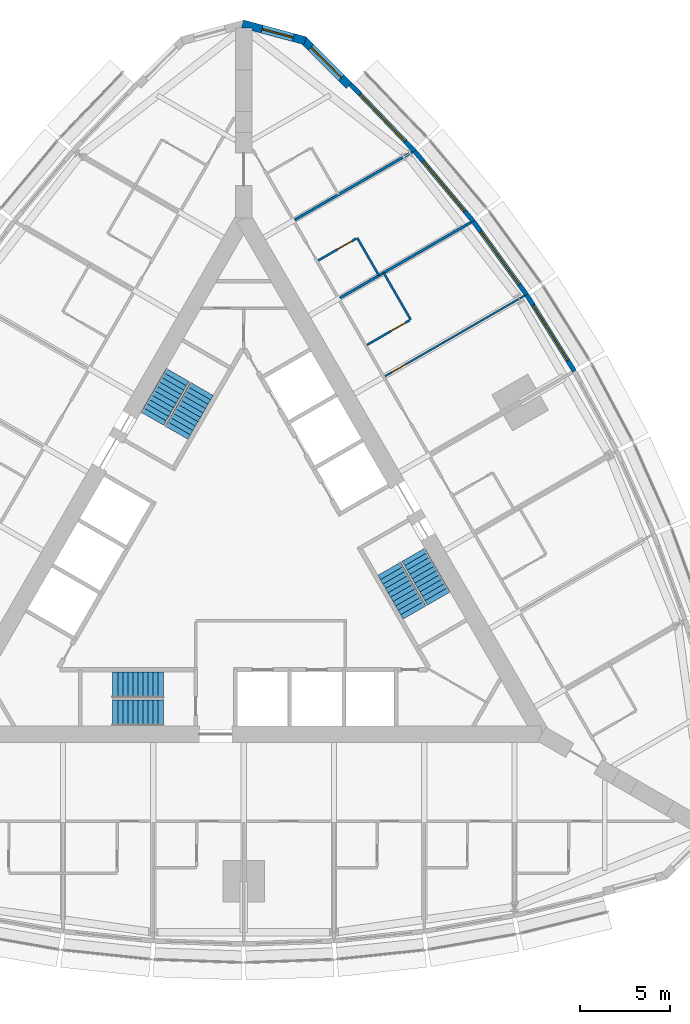
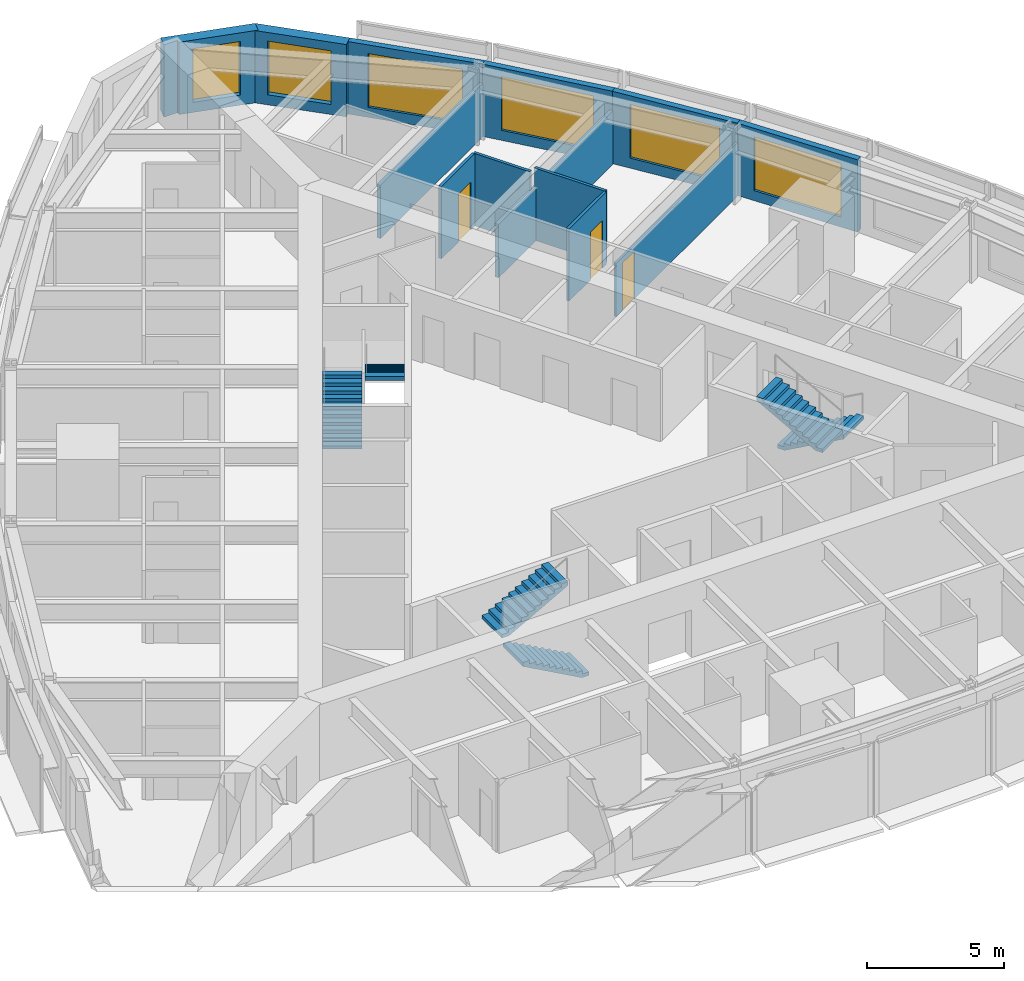
# One storey, part 13 of 14: 13 walls, 6 stair flights, 6 windows, 3 doors, 9 openings, 3 elements without a shape of their own.
"""IFC4 building model written with IfcOpenShell, lengths in metres."""

from ifc_helpers import new_model, si_unit, direction, frame, frame_2d, origin, place, context, subcontext, project, spatial, polyline, rectangle, outline, extrude, material, layer, layer_set, type_object, element, fill, aggregate, save


model = new_model("IFC4")

# Units and contexts
model_context = context("Model", 3, precision=1e-05, world=origin(), true_north=direction((0.0, 1.0)))
body_context = subcontext(model_context, "Body", "Model", "MODEL_VIEW")
ifc_project = project(units=[si_unit("LENGTHUNIT", "METRE"), si_unit("AREAUNIT", "SQUARE_METRE"), si_unit("VOLUMEUNIT", "CUBIC_METRE"), si_unit("PLANEANGLEUNIT", "RADIAN"), si_unit("MASSUNIT", "GRAM", prefix="KILO")], contexts=[model_context])

# Site, building, storey
site_placement = place(None, origin())
site = spatial("IfcSite", under=ifc_project, at=site_placement, CompositionType="ELEMENT")
building_placement = place(site_placement, origin())
building = spatial("IfcBuilding", under=site, at=building_placement, Name="Trikona Tower", CompositionType="ELEMENT")
storey_placement = place(building_placement, frame((0.0, 0.0, 145.300048828125)))
storey = spatial("IfcBuildingStorey", under=building, at=storey_placement, Name="L38", CompositionType="ELEMENT", Elevation=145.300048828125)

# Wall
ifc_material_1 = material(Name="Metal stud and cement board", Category="gypsum")
ifc_layer_1 = layer(ifc_material_1, 0.1201171875)
ifc_layer_set_1 = layer_set([ifc_layer_1], Name="Bathroom wall 120")
wall_type_1 = type_object("IfcWallType", Name="Bathroom wall 120", PredefinedType="PLUMBINGWALL", material=ifc_layer_set_1)
wall_1_placement = place(storey_placement, frame((9.25341796875, 13.42529296875, 0.0), z_axis=(0.0, 0.0, 1.0), x_axis=(-0.499990139034, 0.866031096941, 0.0)))
element("IfcWall", 1, at=wall_1_placement, inside=storey, type_object=wall_type_1, Name="Bathroom wall 3810.1", PredefinedType="PLUMBINGWALL", context=body_context, shape_type="SweptSolid", body=[
    extrude(rectangle(XDim=3.0, YDim=0.1201171875, at=frame_2d((1.5, 0.0))), origin(), (0.0, 0.0, 1.0), 3.23486328125),
])

# Wall, opening, door
wall_2_placement = place(storey_placement, frame((6.82861328125, 12.025390625, 0.0), z_axis=(0.0, 0.0, 1.0), x_axis=(0.866035715982, 0.499982138324, 0.0)))
wall_2 = element("IfcWall", 2, at=wall_2_placement, inside=storey, type_object=wall_type_1, Name="Bathroom wall 3810.1", PredefinedType="PLUMBINGWALL", context=body_context, shape_type="SweptSolid", body=[
    extrude(rectangle(XDim=2.73974609375, YDim=0.1201171875, at=frame_2d((1.369873046875, 0.0))), origin(), (0.0, 0.0, 1.0), 3.23486328125),
])
opening_1_placement = place(wall_2_placement, frame((1.550048828125, 0.0, 0.0)))
opening_1 = element("IfcOpeningElement", 3, at=opening_1_placement, cuts=wall_2, Name="Opening D2", PredefinedType="OPENING", context=body_context, shape_type="SweptSolid", body=[
    extrude(rectangle(XDim=0.89990234375, YDim=2.1298828125, at=frame_2d((0.449951171875, 1.06494140625))), frame((0.0, 0.070068359375, 0.0), z_axis=(0.0, -1.0, 0.0), x_axis=(1.0, 0.0, 0.0)), (0.0, 0.0, 1.0), 0.14013671875),
])
ifc_material_2 = material(Name="Steel door frame with solid-core timber leaf", Category="steel")
door_type_1 = type_object("IfcDoorType", Name="Bathroom door 900x2130", OperationType="SLIDING_TO_LEFT", PredefinedType="DOOR", material=ifc_material_2)
door_1_placement = place(opening_1_placement, origin())
door_1 = element("IfcDoor", 4, at=door_1_placement, inside=storey, type_object=door_type_1, Name="Bathroom door 3810.1", OperationType="SLIDING_TO_LEFT", OverallHeight=2.1298828125, OverallWidth=0.89990234375, PredefinedType="DOOR", context=body_context, shape_type="SweptSolid", body=[
    extrude(rectangle(XDim=0.89990234375, YDim=2.1298828125, at=frame_2d((0.449951171875, 1.06494140625))), frame((0.0, 0.02490234375, 0.0), z_axis=(0.0, -1.0, 0.0), x_axis=(1.0, 0.0, 0.0)), (0.0, 0.0, 1.0), 0.050048828125),
])
fill(opening_1, door_1)

# Wall
wall_3_placement = place(storey_placement, frame((7.493408203125, 15.873291015625, 0.0), z_axis=(0.0, 0.0, 1.0), x_axis=(-0.499957262057, 0.866050077142, 0.0)))
element("IfcWall", 5, at=wall_3_placement, inside=storey, type_object=wall_type_1, Name="Bathroom wall 3811", PredefinedType="PLUMBINGWALL", context=body_context, shape_type="SweptSolid", body=[
    extrude(rectangle(XDim=2.400146484375, YDim=0.1201171875, at=frame_2d((1.2001953125, 0.0))), origin(), (0.0, 0.0, 1.0), 3.23486328125),
])

# Wall, opening, door
wall_4_placement = place(storey_placement, frame((4.12841796875, 16.701904296875, 0.0), z_axis=(0.0, 0.0, 1.0), x_axis=(0.866048967903, 0.499959183527, 0.0)))
wall_4 = element("IfcWall", 6, at=wall_4_placement, inside=storey, type_object=wall_type_1, Name="Bathroom wall 3811", PredefinedType="PLUMBINGWALL", context=body_context, shape_type="SweptSolid", body=[
    extrude(rectangle(XDim=2.440185546875, YDim=0.1201171875, at=frame_2d((1.22021484375, 0.0))), origin(), (0.0, 0.0, 1.0), 3.23486328125),
])
opening_2_placement = place(wall_4_placement, frame((1.25, 0.0, 0.0)))
opening_2 = element("IfcOpeningElement", 7, at=opening_2_placement, cuts=wall_4, Name="Opening D2", PredefinedType="OPENING", context=body_context, shape_type="SweptSolid", body=[
    extrude(rectangle(XDim=0.89990234375, YDim=2.1298828125, at=frame_2d((0.449951171875, 1.06494140625))), frame((0.0, 0.070068359375, 0.0), z_axis=(0.0, -1.0, 0.0), x_axis=(1.0, 0.0, 0.0)), (0.0, 0.0, 1.0), 0.14013671875),
])
door_2_placement = place(opening_2_placement, origin())
door_2 = element("IfcDoor", 8, at=door_2_placement, inside=storey, type_object=door_type_1, Name="Bathroom door 3811", OperationType="SLIDING_TO_LEFT", OverallHeight=2.1298828125, OverallWidth=0.89990234375, PredefinedType="DOOR", context=body_context, shape_type="SweptSolid", body=[
    extrude(rectangle(XDim=0.89990234375, YDim=2.1298828125, at=frame_2d((0.449951171875, 1.06494140625))), frame((0.0, 0.02490234375, 0.0), z_axis=(0.0, -1.0, 0.0), x_axis=(1.0, 0.0, 0.0)), (0.0, 0.0, 1.0), 0.050048828125),
])
fill(opening_2, door_2)

# Wall, opening, window
ifc_material_3 = material(Name="Brick-faced precast concrete", Category="masonry")
ifc_layer_2 = layer(ifc_material_3, 0.449951171875)
ifc_layer_set_2 = layer_set([ifc_layer_2], Name="Brick-faced corner wall 450")
wall_type_2 = type_object("IfcWallType", Name="Brick-faced corner wall 450", PredefinedType="SOLIDWALL", material=ifc_layer_set_2)
wall_5_placement = place(storey_placement, frame((5.8408203125, 26.39892578125, 0.0), z_axis=(0.0, 0.0, 1.0), x_axis=(-0.707106781187, 0.707106781187, 0.0)))
wall_5 = element("IfcWall", 9, at=wall_5_placement, inside=storey, type_object=wall_type_2, Name="External wall L38-20", PredefinedType="SOLIDWALL", context=body_context, shape_type="SweptSolid", body=[
    extrude(rectangle(XDim=3.586181640625, YDim=0.449951171875, at=frame_2d((1.79296875, 0.0))), origin(), (0.0, 0.0, 1.0), 3.23486328125),
])
opening_3_placement = place(wall_5_placement, frame((0.59326171875, 0.0, 0.449951171875)))
opening_3 = element("IfcOpeningElement", 10, at=opening_3_placement, cuts=wall_5, Name="Opening W2424", PredefinedType="OPENING", context=body_context, shape_type="SweptSolid", body=[
    extrude(rectangle(XDim=2.39990234375, YDim=2.39990234375, at=frame_2d((1.199951171875, 1.199951171875))), frame((0.0, 0.23486328125, 0.0), z_axis=(0.0, -1.0, 0.0), x_axis=(1.0, 0.0, 0.0)), (0.0, 0.0, 1.0), 0.469970703125),
])
ifc_material_4 = material(Name="Aluminium-framed double glazing", Category="aluminium")
window_type_1 = type_object("IfcWindowType", Name="Window 2400x2400", PartitioningType="SINGLE_PANEL", PredefinedType="WINDOW", material=ifc_material_4)
window_1_placement = place(opening_3_placement, origin())
window_1 = element("IfcWindow", 11, at=window_1_placement, inside=storey, type_object=window_type_1, Name="Window 3812", OverallHeight=2.39990234375, OverallWidth=2.39990234375, PartitioningType="SINGLE_PANEL", PredefinedType="WINDOW", context=body_context, shape_type="SweptSolid", body=[
    extrude(rectangle(XDim=2.39990234375, YDim=2.39990234375, at=frame_2d((1.199951171875, 1.199951171875))), frame((0.0, 0.030029296875, 0.0), z_axis=(0.0, -1.0, 0.0), x_axis=(1.0, 0.0, 0.0)), (0.0, 0.0, 1.0), 0.06005859375),
])
fill(opening_3, window_1)

wall_6_placement = place(storey_placement, frame((3.406005859375, 28.876708984375, 0.0), z_axis=(0.0, 0.0, 1.0), x_axis=(-0.965924653531, 0.258823421857, 0.0)))
wall_6 = element("IfcWall", 12, at=wall_6_placement, inside=storey, type_object=wall_type_2, Name="External wall L38-21", PredefinedType="SOLIDWALL", context=body_context, shape_type="SweptSolid", body=[
    extrude(outline(polyline([(3.58642578125, 0.22509765625), (3.526611328125, 0.22509765625), (3.035400390625, 0.09326171875), (3.0, 0.22509765625), (0.0, 0.22509765625), (0.0, -0.22509765625), (3.58642578125, -0.22509765625), (3.58642578125, 0.22509765625)])), origin(), (0.0, 0.0, 1.0), 3.23486328125),
])
opening_4_placement = place(wall_6_placement, frame((0.6748046875, 0.0, 0.449951171875)))
opening_4 = element("IfcOpeningElement", 13, at=opening_4_placement, cuts=wall_6, Name="Opening W1824", PredefinedType="OPENING", context=body_context, shape_type="SweptSolid", body=[
    extrude(rectangle(XDim=1.800048828125, YDim=2.39990234375, at=frame_2d((0.89990234375, 1.199951171875))), frame((0.0, 0.23486328125, 0.0), z_axis=(0.0, -1.0, 0.0), x_axis=(1.0, 0.0, 0.0)), (0.0, 0.0, 1.0), 0.469970703125),
])
ifc_material_5 = material(Name="Aluminium-framed double glazing", Category="aluminium")
window_type_2 = type_object("IfcWindowType", Name="Window 1800x2400", PartitioningType="SINGLE_PANEL", PredefinedType="WINDOW", material=ifc_material_5)
window_2_placement = place(opening_4_placement, origin())
window_2 = element("IfcWindow", 14, at=window_2_placement, inside=storey, type_object=window_type_2, Name="Window 3812", OverallHeight=2.39990234375, OverallWidth=1.800048828125, PartitioningType="SINGLE_PANEL", PredefinedType="WINDOW", context=body_context, shape_type="SweptSolid", body=[
    extrude(rectangle(XDim=1.800048828125, YDim=2.39990234375, at=frame_2d((0.89990234375, 1.199951171875))), frame((0.0, 0.030029296875, 0.0), z_axis=(0.0, -1.0, 0.0), x_axis=(1.0, 0.0, 0.0)), (0.0, 0.0, 1.0), 0.06005859375),
])
fill(opening_4, window_2)

ifc_material_6 = material(Name="Insulated precast concrete spandrel panel", Category="concrete")
ifc_layer_3 = layer(ifc_material_6, 0.25)
ifc_layer_set_3 = layer_set([ifc_layer_3], Name="Inner skin wall 250")
wall_type_3 = type_object("IfcWallType", Name="Inner skin wall 250", PredefinedType="STANDARD", material=ifc_layer_set_3)
wall_7_placement = place(storey_placement, frame((18.31884765625, 10.5712890625, 0.0), z_axis=(0.0, 0.0, 1.0), x_axis=(-0.529990167382, 0.84800378683, 0.0)))
wall_7 = element("IfcWall", 15, at=wall_7_placement, inside=storey, type_object=wall_type_3, Name="External wall L38-16", PredefinedType="STANDARD", context=body_context, shape_type="SweptSolid", body=[
    extrude(rectangle(XDim=5.003173828125, YDim=0.25, at=frame_2d((2.50146484375, 0.0))), origin(), (0.0, 0.0, 1.0), 3.23486328125),
])
opening_5_placement = place(wall_7_placement, frame((0.701416015625, 0.0, 0.449951171875)))
opening_5 = element("IfcOpeningElement", 16, at=opening_5_placement, cuts=wall_7, Name="Opening W3624", PredefinedType="OPENING", context=body_context, shape_type="SweptSolid", body=[
    extrude(rectangle(XDim=3.60009765625, YDim=2.39990234375, at=frame_2d((1.800048828125, 1.199951171875))), frame((0.0, 0.135009765625, 0.0), z_axis=(0.0, -1.0, 0.0), x_axis=(1.0, 0.0, 0.0)), (0.0, 0.0, 1.0), 0.27001953125),
])
ifc_material_7 = material(Name="Aluminium-framed double glazing", Category="aluminium")
window_type_3 = type_object("IfcWindowType", Name="Window 3600x2400", PartitioningType="SINGLE_PANEL", PredefinedType="WINDOW", material=ifc_material_7)
window_3_placement = place(opening_5_placement, origin())
window_3 = element("IfcWindow", 17, at=window_3_placement, inside=storey, type_object=window_type_3, Name="Window 3810", OverallHeight=2.39990234375, OverallWidth=3.60009765625, PartitioningType="SINGLE_PANEL", PredefinedType="WINDOW", context=body_context, shape_type="SweptSolid", body=[
    extrude(rectangle(XDim=3.60009765625, YDim=2.39990234375, at=frame_2d((1.800048828125, 1.199951171875))), frame((0.0, 0.030029296875, 0.0), z_axis=(0.0, -1.0, 0.0), x_axis=(1.0, 0.0, 0.0)), (0.0, 0.0, 1.0), 0.06005859375),
])
fill(opening_5, window_3)

wall_8_placement = place(storey_placement, frame((15.672119140625, 14.806640625, 0.0), z_axis=(0.0, 0.0, 1.0), x_axis=(-0.587669188412, 0.809101307001, 0.0)))
wall_8 = element("IfcWall", 18, at=wall_8_placement, inside=storey, type_object=wall_type_3, Name="External wall L38-17", PredefinedType="STANDARD", context=body_context, shape_type="SweptSolid", body=[
    extrude(rectangle(XDim=5.027587890625, YDim=0.25, at=frame_2d((2.513671875, 0.0))), origin(), (0.0, 0.0, 1.0), 3.23486328125),
])
opening_6_placement = place(wall_8_placement, frame((0.7138671875, 0.0, 0.449951171875)))
opening_6 = element("IfcOpeningElement", 19, at=opening_6_placement, cuts=wall_8, Name="Opening W3624", PredefinedType="OPENING", context=body_context, shape_type="SweptSolid", body=[
    extrude(rectangle(XDim=3.60009765625, YDim=2.39990234375, at=frame_2d((1.800048828125, 1.199951171875))), frame((0.0, 0.135009765625, 0.0), z_axis=(0.0, -1.0, 0.0), x_axis=(1.0, 0.0, 0.0)), (0.0, 0.0, 1.0), 0.27001953125),
])
window_4_placement = place(opening_6_placement, origin())
window_4 = element("IfcWindow", 20, at=window_4_placement, inside=storey, type_object=window_type_3, Name="Window 3810.1", OverallHeight=2.39990234375, OverallWidth=3.60009765625, PartitioningType="SINGLE_PANEL", PredefinedType="WINDOW", context=body_context, shape_type="SweptSolid", body=[
    extrude(rectangle(XDim=3.60009765625, YDim=2.39990234375, at=frame_2d((1.800048828125, 1.199951171875))), frame((0.0, 0.030029296875, 0.0), z_axis=(0.0, -1.0, 0.0), x_axis=(1.0, 0.0, 0.0)), (0.0, 0.0, 1.0), 0.06005859375),
])
fill(opening_6, window_4)

wall_9_placement = place(storey_placement, frame((12.722900390625, 18.86767578125, 0.0), z_axis=(0.0, 0.0, 1.0), x_axis=(-0.641810386606, 0.766863369607, 0.0)))
wall_9 = element("IfcWall", 21, at=wall_9_placement, inside=storey, type_object=wall_type_3, Name="External wall L38-18", PredefinedType="STANDARD", context=body_context, shape_type="SweptSolid", body=[
    extrude(rectangle(XDim=5.075927734375, YDim=0.25, at=frame_2d((2.5380859375, 0.0))), origin(), (0.0, 0.0, 1.0), 3.23486328125),
])
opening_7_placement = place(wall_9_placement, frame((0.738037109375, 0.0, 0.449951171875)))
opening_7 = element("IfcOpeningElement", 22, at=opening_7_placement, cuts=wall_9, Name="Opening W3624", PredefinedType="OPENING", context=body_context, shape_type="SweptSolid", body=[
    extrude(rectangle(XDim=3.60009765625, YDim=2.39990234375, at=frame_2d((1.800048828125, 1.199951171875))), frame((0.0, 0.135009765625, 0.0), z_axis=(0.0, -1.0, 0.0), x_axis=(1.0, 0.0, 0.0)), (0.0, 0.0, 1.0), 0.27001953125),
])
window_5_placement = place(opening_7_placement, origin())
window_5 = element("IfcWindow", 23, at=window_5_placement, inside=storey, type_object=window_type_3, Name="Window 3811", OverallHeight=2.39990234375, OverallWidth=3.60009765625, PartitioningType="SINGLE_PANEL", PredefinedType="WINDOW", context=body_context, shape_type="SweptSolid", body=[
    extrude(rectangle(XDim=3.60009765625, YDim=2.39990234375, at=frame_2d((1.800048828125, 1.199951171875))), frame((0.0, 0.030029296875, 0.0), z_axis=(0.0, -1.0, 0.0), x_axis=(1.0, 0.0, 0.0)), (0.0, 0.0, 1.0), 0.06005859375),
])
fill(opening_7, window_5)

wall_10_placement = place(storey_placement, frame((9.470703125, 22.75390625, 0.0), z_axis=(0.0, 0.0, 1.0), x_axis=(-0.691719937936, 0.722165858693, 0.0)))
wall_10 = element("IfcWall", 24, at=wall_10_placement, inside=storey, type_object=wall_type_3, Name="External wall L38-19", PredefinedType="STANDARD", context=body_context, shape_type="SweptSolid", body=[
    extrude(rectangle(XDim=5.148193359375, YDim=0.25, at=frame_2d((2.57421875, 0.0))), origin(), (0.0, 0.0, 1.0), 3.23486328125),
])
opening_8_placement = place(wall_10_placement, frame((0.77392578125, 0.0, 0.449951171875)))
opening_8 = element("IfcOpeningElement", 25, at=opening_8_placement, cuts=wall_10, Name="Opening W3624", PredefinedType="OPENING", context=body_context, shape_type="SweptSolid", body=[
    extrude(rectangle(XDim=3.60009765625, YDim=2.39990234375, at=frame_2d((1.800048828125, 1.199951171875))), frame((0.0, 0.135009765625, 0.0), z_axis=(0.0, -1.0, 0.0), x_axis=(1.0, 0.0, 0.0)), (0.0, 0.0, 1.0), 0.27001953125),
])
window_6_placement = place(opening_8_placement, origin())
window_6 = element("IfcWindow", 26, at=window_6_placement, inside=storey, type_object=window_type_3, Name="Window 3812", OverallHeight=2.39990234375, OverallWidth=3.60009765625, PartitioningType="SINGLE_PANEL", PredefinedType="WINDOW", context=body_context, shape_type="SweptSolid", body=[
    extrude(rectangle(XDim=3.60009765625, YDim=2.39990234375, at=frame_2d((1.800048828125, 1.199951171875))), frame((0.0, 0.030029296875, 0.0), z_axis=(0.0, -1.0, 0.0), x_axis=(1.0, 0.0, 0.0)), (0.0, 0.0, 1.0), 0.06005859375),
])
fill(opening_8, window_6)

# Walls
ifc_material_8 = material(Name="Metal stud and gypsum board, 1-hour acoustic", Category="gypsum")
ifc_layer_4 = layer(ifc_material_8, 0.14990234375)
ifc_layer_set_4 = layer_set([ifc_layer_4], Name="Party wall 150")
wall_type_4 = type_object("IfcWallType", Name="Party wall 150", PredefinedType="PARTITIONING", material=ifc_layer_set_4)
wall_11_placement = place(storey_placement, frame((5.32861328125, 14.623291015625, 0.0), z_axis=(0.0, 0.0, 1.0), x_axis=(0.866011723728, 0.500023693804, 0.0)))
element("IfcWall", 27, at=wall_11_placement, inside=storey, type_object=wall_type_4, Name="Partition L38 F2 u10", PredefinedType="PARTITIONING", context=body_context, shape_type="SweptSolid", body=[
    extrude(rectangle(XDim=8.39501953125, YDim=0.14990234375, at=frame_2d((4.197509765625, 0.0))), origin(), (0.0, 0.0, 1.0), 2.38916015625),
])
wall_12_placement = place(storey_placement, frame((2.82861328125, 18.95361328125, 0.0), z_axis=(0.0, 0.0, 1.0), x_axis=(0.866015739374, 0.500016738876, 0.0)))
element("IfcWall", 28, at=wall_12_placement, inside=storey, type_object=wall_type_4, Name="Partition L38 F2 u15", PredefinedType="PARTITIONING", context=body_context, shape_type="SweptSolid", body=[
    extrude(rectangle(XDim=7.516357421875, YDim=0.14990234375, at=frame_2d((3.75830078125, 0.0))), origin(), (0.0, 0.0, 1.0), 2.38916015625),
])

# Wall, opening, door
ifc_material_9 = material(Name="Metal stud and gypsum board, acoustic", Category="gypsum")
ifc_layer_5 = layer(ifc_material_9, 0.10009765625)
ifc_layer_set_5 = layer_set([ifc_layer_5], Name="Suite partition 100")
wall_type_5 = type_object("IfcWallType", Name="Suite partition 100", PredefinedType="PARTITIONING", material=ifc_layer_set_5)
wall_13_placement = place(storey_placement, frame((7.82861328125, 10.293212890625, 0.0), z_axis=(0.0, 0.0, 1.0), x_axis=(0.866027015393, 0.499997208602, 0.0)))
wall_13 = element("IfcWall", 29, at=wall_13_placement, inside=storey, type_object=wall_type_5, Name="Suite partition L38 F2 u5", PredefinedType="PARTITIONING", context=body_context, shape_type="SweptSolid", body=[
    extrude(rectangle(XDim=8.92236328125, YDim=0.10009765625, at=frame_2d((4.461181640625, 0.0))), origin(), (0.0, 0.0, 1.0), 2.38916015625),
])
opening_9_placement = place(wall_13_placement, frame((0.449951171875, 0.0, 0.0)))
opening_9 = element("IfcOpeningElement", 30, at=opening_9_placement, cuts=wall_13, Name="Opening D13", PredefinedType="OPENING", context=body_context, shape_type="SweptSolid", body=[
    extrude(rectangle(XDim=0.89990234375, YDim=2.1298828125, at=frame_2d((0.449951171875, 1.06494140625))), frame((0.0, 0.06005859375, 0.0), z_axis=(0.0, -1.0, 0.0), x_axis=(1.0, 0.0, 0.0)), (0.0, 0.0, 1.0), 0.1201171875),
])
ifc_material_10 = material(Name="Steel door frame with solid-core timber leaf", Category="steel")
door_type_2 = type_object("IfcDoorType", Name="Suite door 900x2130", OperationType="SINGLE_SWING_LEFT", PredefinedType="DOOR", material=ifc_material_10)
door_3_placement = place(opening_9_placement, origin())
door_3 = element("IfcDoor", 31, at=door_3_placement, inside=storey, type_object=door_type_2, Name="Suite door 3810", OperationType="SINGLE_SWING_LEFT", OverallHeight=2.1298828125, OverallWidth=0.89990234375, PredefinedType="DOOR", context=body_context, shape_type="SweptSolid", body=[
    extrude(rectangle(XDim=0.89990234375, YDim=2.1298828125, at=frame_2d((0.449951171875, 1.06494140625))), frame((0.0, 0.02490234375, 0.0), z_axis=(0.0, -1.0, 0.0), x_axis=(1.0, 0.0, 0.0)), (0.0, 0.0, 1.0), 0.050048828125),
])
fill(opening_9, door_3)

# Stair, stair flights
ifc_material_11 = material(Name="Concrete f'c 5000 psi", Category="concrete")
stair_type = type_object("IfcStairType", Name="Core stair", PredefinedType="HALF_TURN_STAIR", material=ifc_material_11)
stair_1_placement = place(storey_placement, origin())
stair_1 = element("IfcStair", 32, at=stair_1_placement, inside=storey, type_object=stair_type, Name="Stair A L38", PredefinedType="HALF_TURN_STAIR")
ifc_material_12 = material(Name="Concrete f'c 5000 psi", Category="concrete")
stair_flight_type = type_object("IfcStairFlightType", Name="Core stair flight 1450", PredefinedType="STRAIGHT", material=ifc_material_12)
stair_flight_1_placement = place(storey_placement, frame((-4.449951171875, -8.351318359375, 0.0), z_axis=(0.0, 0.0, 1.0), x_axis=(-1.0, 0.0, 0.0)))
stair_flight_1 = element("IfcStairFlight", 33, at=stair_flight_1_placement, type_object=stair_flight_type, Name="ST-A flight 1", NumberOfRisers=11, NumberOfTreads=10, PredefinedType="STRAIGHT", RiserHeight=0.154545, TreadLength=0.28, context=body_context, shape_type="SweptSolid", body=[
    extrude(outline(polyline([(0.0, 0.0), (0.0, 0.154541015625), (0.280029296875, 0.154541015625), (0.280029296875, 0.30908203125), (0.56005859375, 0.30908203125), (0.56005859375, 0.463623046875), (0.840087890625, 0.463623046875), (0.840087890625, 0.6181640625), (1.1201171875, 0.6181640625), (1.1201171875, 0.772705078125), (1.39990234375, 0.772705078125), (1.39990234375, 0.92724609375), (1.679931640625, 0.92724609375), (1.679931640625, 1.081787109375), (1.9599609375, 1.081787109375), (1.9599609375, 1.236328125), (2.239990234375, 1.236328125), (2.239990234375, 1.390869140625), (2.52001953125, 1.390869140625), (2.52001953125, 1.54541015625), (2.800048828125, 1.54541015625), (2.800048828125, 1.699951171875), (2.800048828125, 1.374267578125), (0.310302734375, 0.0), (0.0, 0.0)])), frame((0.0, 0.72509765625, 0.0), z_axis=(0.0, -1.0, 0.0), x_axis=(1.0, 0.0, 0.0)), (0.0, 0.0, 1.0), 1.449951171875),
])
stair_flight_2_placement = place(storey_placement, frame((-7.25, -6.80126953125, 1.699951171875), z_axis=(0.0, 0.0, 1.0), x_axis=(1.0, 0.0, 0.0)))
stair_flight_2 = element("IfcStairFlight", 34, at=stair_flight_2_placement, type_object=stair_flight_type, Name="ST-A flight 2", NumberOfRisers=11, NumberOfTreads=10, PredefinedType="STRAIGHT", RiserHeight=0.154545, TreadLength=0.28, context=body_context, shape_type="SweptSolid", body=[
    extrude(outline(polyline([(0.0, 0.0), (0.0, 0.154541015625), (0.280029296875, 0.154541015625), (0.280029296875, 0.30908203125), (0.56005859375, 0.30908203125), (0.56005859375, 0.463623046875), (0.840087890625, 0.463623046875), (0.840087890625, 0.6181640625), (1.1201171875, 0.6181640625), (1.1201171875, 0.772705078125), (1.39990234375, 0.772705078125), (1.39990234375, 0.92724609375), (1.679931640625, 0.92724609375), (1.679931640625, 1.081787109375), (1.9599609375, 1.081787109375), (1.9599609375, 1.236328125), (2.239990234375, 1.236328125), (2.239990234375, 1.390869140625), (2.52001953125, 1.390869140625), (2.52001953125, 1.54541015625), (2.800048828125, 1.54541015625), (2.800048828125, 1.699951171875), (2.800048828125, 1.374267578125), (0.310302734375, 0.0), (0.0, 0.0)])), frame((0.0, 0.72509765625, 0.0), z_axis=(0.0, -1.0, 0.0), x_axis=(1.0, 0.0, 0.0)), (0.0, 0.0, 1.0), 1.449951171875),
])
aggregate(stair_1, [stair_flight_1, stair_flight_2])

stair_2_placement = place(storey_placement, origin())
stair_2 = element("IfcStair", 35, at=stair_2_placement, inside=storey, type_object=stair_type, Name="Stair B L38", PredefinedType="HALF_TURN_STAIR")
stair_flight_3_placement = place(storey_placement, frame((9.407470703125, 0.408447265625, 0.0), z_axis=(0.0, 0.0, 1.0), x_axis=(0.5, -0.866025403784, 0.0)))
stair_flight_3 = element("IfcStairFlight", 36, at=stair_flight_3_placement, type_object=stair_flight_type, Name="ST-B flight 1", NumberOfRisers=11, NumberOfTreads=10, PredefinedType="STRAIGHT", RiserHeight=0.154545, TreadLength=0.28, context=body_context, shape_type="SweptSolid", body=[
    extrude(outline(polyline([(0.0, 0.0), (0.0, 0.154541015625), (0.280029296875, 0.154541015625), (0.280029296875, 0.30908203125), (0.56005859375, 0.30908203125), (0.56005859375, 0.463623046875), (0.840087890625, 0.463623046875), (0.840087890625, 0.6181640625), (1.1201171875, 0.6181640625), (1.1201171875, 0.772705078125), (1.39990234375, 0.772705078125), (1.39990234375, 0.92724609375), (1.679931640625, 0.92724609375), (1.679931640625, 1.081787109375), (1.9599609375, 1.081787109375), (1.9599609375, 1.236328125), (2.239990234375, 1.236328125), (2.239990234375, 1.390869140625), (2.52001953125, 1.390869140625), (2.52001953125, 1.54541015625), (2.800048828125, 1.54541015625), (2.800048828125, 1.699951171875), (2.800048828125, 1.374267578125), (0.310302734375, 0.0), (0.0, 0.0)])), frame((0.0, 0.72509765625, 0.0), z_axis=(0.0, -1.0, 0.0), x_axis=(1.0, 0.0, 0.0)), (0.0, 0.0, 1.0), 1.449951171875),
])
stair_flight_4_placement = place(storey_placement, frame((9.465087890625, -2.79150390625, 1.699951171875), z_axis=(0.0, 0.0, 1.0), x_axis=(-0.5, 0.866025403784, 0.0)))
stair_flight_4 = element("IfcStairFlight", 37, at=stair_flight_4_placement, type_object=stair_flight_type, Name="ST-B flight 2", NumberOfRisers=11, NumberOfTreads=10, PredefinedType="STRAIGHT", RiserHeight=0.154545, TreadLength=0.28, context=body_context, shape_type="SweptSolid", body=[
    extrude(outline(polyline([(0.0, 0.0), (0.0, 0.154541015625), (0.280029296875, 0.154541015625), (0.280029296875, 0.30908203125), (0.56005859375, 0.30908203125), (0.56005859375, 0.463623046875), (0.840087890625, 0.463623046875), (0.840087890625, 0.6181640625), (1.1201171875, 0.6181640625), (1.1201171875, 0.772705078125), (1.39990234375, 0.772705078125), (1.39990234375, 0.92724609375), (1.679931640625, 0.92724609375), (1.679931640625, 1.081787109375), (1.9599609375, 1.081787109375), (1.9599609375, 1.236328125), (2.239990234375, 1.236328125), (2.239990234375, 1.390869140625), (2.52001953125, 1.390869140625), (2.52001953125, 1.54541015625), (2.800048828125, 1.54541015625), (2.800048828125, 1.699951171875), (2.800048828125, 1.374267578125), (0.310302734375, 0.0), (0.0, 0.0)])), frame((0.0, 0.72509765625, 0.0), z_axis=(0.0, -1.0, 0.0), x_axis=(1.0, 0.0, 0.0)), (0.0, 0.0, 1.0), 1.449951171875),
])
aggregate(stair_2, [stair_flight_3, stair_flight_4])

stair_3_placement = place(storey_placement, origin())
stair_3 = element("IfcStair", 38, at=stair_3_placement, inside=storey, type_object=stair_type, Name="Stair C L38", PredefinedType="HALF_TURN_STAIR")
stair_flight_5_placement = place(storey_placement, frame((-5.057373046875, 7.94287109375, 0.0), z_axis=(0.0, 0.0, 1.0), x_axis=(0.5, 0.866025403784, 0.0)))
stair_flight_5 = element("IfcStairFlight", 39, at=stair_flight_5_placement, type_object=stair_flight_type, Name="ST-C flight 1", NumberOfRisers=11, NumberOfTreads=10, PredefinedType="STRAIGHT", RiserHeight=0.154545, TreadLength=0.28, context=body_context, shape_type="SweptSolid", body=[
    extrude(outline(polyline([(0.0, 0.0), (0.0, 0.154541015625), (0.280029296875, 0.154541015625), (0.280029296875, 0.30908203125), (0.56005859375, 0.30908203125), (0.56005859375, 0.463623046875), (0.840087890625, 0.463623046875), (0.840087890625, 0.6181640625), (1.1201171875, 0.6181640625), (1.1201171875, 0.772705078125), (1.39990234375, 0.772705078125), (1.39990234375, 0.92724609375), (1.679931640625, 0.92724609375), (1.679931640625, 1.081787109375), (1.9599609375, 1.081787109375), (1.9599609375, 1.236328125), (2.239990234375, 1.236328125), (2.239990234375, 1.390869140625), (2.52001953125, 1.390869140625), (2.52001953125, 1.54541015625), (2.800048828125, 1.54541015625), (2.800048828125, 1.699951171875), (2.800048828125, 1.374267578125), (0.310302734375, 0.0), (0.0, 0.0)])), frame((0.0, 0.72509765625, 0.0), z_axis=(0.0, -1.0, 0.0), x_axis=(1.0, 0.0, 0.0)), (0.0, 0.0, 1.0), 1.449951171875),
])
stair_flight_6_placement = place(storey_placement, frame((-2.315185546875, 9.5927734375, 1.699951171875), z_axis=(0.0, 0.0, 1.0), x_axis=(-0.5, -0.866025403784, 0.0)))
stair_flight_6 = element("IfcStairFlight", 40, at=stair_flight_6_placement, type_object=stair_flight_type, Name="ST-C flight 2", NumberOfRisers=11, NumberOfTreads=10, PredefinedType="STRAIGHT", RiserHeight=0.154545, TreadLength=0.28, context=body_context, shape_type="SweptSolid", body=[
    extrude(outline(polyline([(0.0, 0.0), (0.0, 0.154541015625), (0.280029296875, 0.154541015625), (0.280029296875, 0.30908203125), (0.56005859375, 0.30908203125), (0.56005859375, 0.463623046875), (0.840087890625, 0.463623046875), (0.840087890625, 0.6181640625), (1.1201171875, 0.6181640625), (1.1201171875, 0.772705078125), (1.39990234375, 0.772705078125), (1.39990234375, 0.92724609375), (1.679931640625, 0.92724609375), (1.679931640625, 1.081787109375), (1.9599609375, 1.081787109375), (1.9599609375, 1.236328125), (2.239990234375, 1.236328125), (2.239990234375, 1.390869140625), (2.52001953125, 1.390869140625), (2.52001953125, 1.54541015625), (2.800048828125, 1.54541015625), (2.800048828125, 1.699951171875), (2.800048828125, 1.374267578125), (0.310302734375, 0.0), (0.0, 0.0)])), frame((0.0, 0.72509765625, 0.0), z_axis=(0.0, -1.0, 0.0), x_axis=(1.0, 0.0, 0.0)), (0.0, 0.0, 1.0), 1.449951171875),
])
aggregate(stair_3, [stair_flight_5, stair_flight_6])

save(model, "model.ifc")
